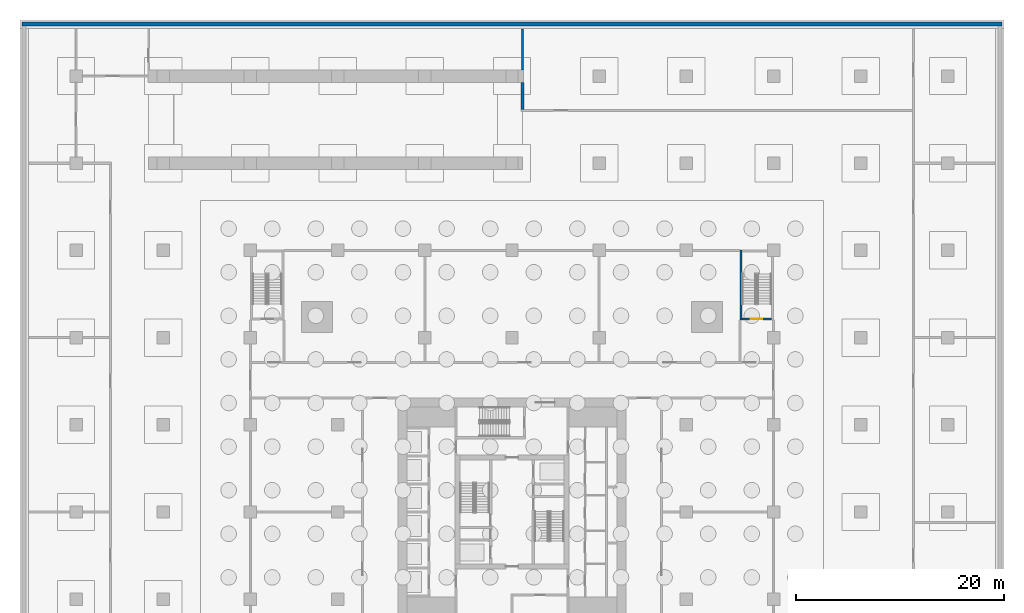
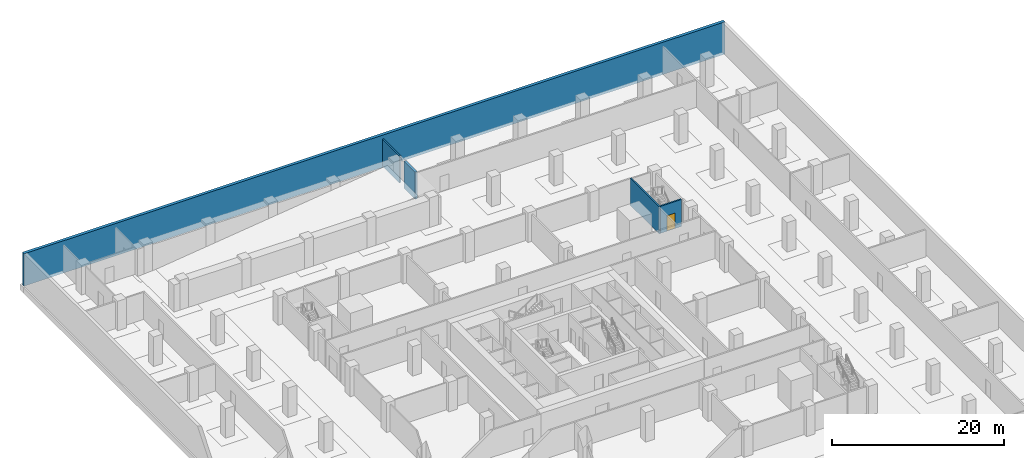
# One storey, part 12 of 19: 5 walls, 1 door, 1 opening.
"""IFC4 building model written with IfcOpenShell, lengths in metres."""

from ifc_helpers import new_model, si_unit, direction, frame, frame_2d, origin, place, context, subcontext, project, spatial, rectangle, extrude, material, layer, layer_set, type_object, element, fill, save


model = new_model("IFC4")

# Units and contexts
model_context = context("Model", 3, precision=1e-05, world=origin(), true_north=direction((0.0, 1.0)))
body_context = subcontext(model_context, "Body", "Model", "MODEL_VIEW")
ifc_project = project(units=[si_unit("LENGTHUNIT", "METRE"), si_unit("AREAUNIT", "SQUARE_METRE"), si_unit("VOLUMEUNIT", "CUBIC_METRE"), si_unit("PLANEANGLEUNIT", "RADIAN"), si_unit("MASSUNIT", "GRAM", prefix="KILO")], contexts=[model_context])

# Site, building, storey
site_placement = place(None, origin())
site = spatial("IfcSite", under=ifc_project, at=site_placement, CompositionType="ELEMENT")
building_placement = place(site_placement, origin())
building = spatial("IfcBuilding", under=site, at=building_placement, Name="Khepri Terraces", CompositionType="ELEMENT")
storey_placement = place(building_placement, frame((0.0, 0.0, -8.39990234375)))
storey = spatial("IfcBuildingStorey", under=building, at=storey_placement, Name="B2", CompositionType="ELEMENT", Elevation=-8.39990234375)

# Walls
ifc_material_1 = material(Name="Concrete C60/75", Category="concrete")
ifc_layer_1 = layer(ifc_material_1, 0.39990234375, Name="Concrete C60/75", Category="concrete")
ifc_layer_set_1 = layer_set([ifc_layer_1], Name="Concrete C60/75")
wall_type_1 = type_object("IfcWallType", Name="Retaining wall RW1", PredefinedType="USERDEFINED", material=ifc_layer_set_1)
wall_1_placement = place(storey_placement, frame((-47.199951171875, 47.0, -0.400146484375), z_axis=(0.0, 0.0, 1.0), x_axis=(1.0, 0.0, 0.0)))
element("IfcWall", 1, at=wall_1_placement, inside=storey, type_object=wall_type_1, Name="Basement retaining wall N B2", ObjectType="RETAINING WALL", PredefinedType="USERDEFINED", context=body_context, shape_type="SweptSolid", body=[
    extrude(rectangle(XDim=94.39990234375, YDim=0.39990234375, at=frame_2d((47.199951171875, 0.0))), origin(), (0.0, 0.0, 1.0), 4.60009765625),
])
ifc_material_2 = material(Name="Fire-rated block wall")
ifc_layer_2 = layer(ifc_material_2, 0.199951171875, Name="Fire-rated block wall")
ifc_layer_set_2 = layer_set([ifc_layer_2], Name="Fire-rated block wall")
wall_type_2 = type_object("IfcWallType", Name="WL-POD-200-EI120", PredefinedType="PARTITIONING", material=ifc_layer_set_2)
wall_2_placement = place(storey_placement, frame((1.0, 42.60009765625, 0.0), z_axis=(0.0, 0.0, 1.0), x_axis=(0.0, 1.0, 0.0)))
element("IfcWall", 2, at=wall_2_placement, inside=storey, type_object=wall_type_2, Name="Partition B2-PW081", PredefinedType="PARTITIONING", context=body_context, shape_type="SweptSolid", body=[
    extrude(rectangle(XDim=3.949951171875, YDim=0.199951171875, at=frame_2d((1.97509765625, 0.0))), origin(), (0.0, 0.0, 1.0), 3.849853515625),
])
ifc_material_3 = material(Name="Concrete C40/50", Category="concrete")
ifc_layer_3 = layer(ifc_material_3, 0.300048828125, Name="Concrete C40/50", Category="concrete")
ifc_layer_set_3 = layer_set([ifc_layer_3], Name="Concrete C40/50")
wall_type_3 = type_object("IfcWallType", Name="WL-POD-RAMP-300", PredefinedType="SOLIDWALL", material=ifc_layer_set_3)
wall_3_placement = place(storey_placement, frame((1.0, 38.800048828125, 0.0), z_axis=(0.0, 0.0, 1.0), x_axis=(0.0, 1.0, 0.0)))
element("IfcWall", 3, at=wall_3_placement, inside=storey, type_object=wall_type_3, Name="Ramp wall B2-PW080", PredefinedType="SOLIDWALL", context=body_context, shape_type="SweptSolid", body=[
    extrude(rectangle(XDim=2.599853515625, YDim=0.300048828125, at=frame_2d((1.2998046875, 0.0))), origin(), (0.0, 0.0, 1.0), 3.849853515625),
])
ifc_layer_4 = layer(ifc_material_3, 0.199951171875, Name="Concrete C40/50", Category="concrete")
ifc_layer_set_4 = layer_set([ifc_layer_4], Name="Concrete C40/50")
wall_type_4 = type_object("IfcWallType", Name="WL-POD-STAIR-200", PredefinedType="SOLIDWALL", material=ifc_layer_set_4)
wall_4_placement = place(storey_placement, frame((22.050048828125, 18.5, 0.0), z_axis=(0.0, 0.0, 1.0), x_axis=(0.0, 1.0, 0.0)))
element("IfcWall", 4, at=wall_4_placement, inside=storey, type_object=wall_type_4, Name="Stair enclosure PS-1 B2-W", PredefinedType="SOLIDWALL", context=body_context, shape_type="SweptSolid", body=[
    extrude(rectangle(XDim=6.739990234375, YDim=0.199951171875, at=frame_2d((3.3701171875, 0.0))), origin(), (0.0, 0.0, 1.0), 3.849853515625),
])

# Wall, opening, door
wall_5_placement = place(storey_placement, frame((22.14990234375, 18.60009765625, 0.0), z_axis=(0.0, 0.0, 1.0), x_axis=(1.0, 0.0, 0.0)))
wall_5 = element("IfcWall", 5, at=wall_5_placement, inside=storey, type_object=wall_type_4, Name="Stair enclosure PS-1 B2-S", PredefinedType="SOLIDWALL", context=body_context, shape_type="SweptSolid", body=[
    extrude(rectangle(XDim=2.85009765625, YDim=0.199951171875, at=frame_2d((1.425048828125, 0.0))), origin(), (0.0, 0.0, 1.0), 3.849853515625),
])
opening_placement = place(wall_5_placement, frame((0.875, 0.0, 0.0)))
opening = element("IfcOpeningElement", 6, at=opening_placement, cuts=wall_5, Name="Opening B2-PS-1D", PredefinedType="OPENING", context=body_context, shape_type="SweptSolid", body=[
    extrude(rectangle(XDim=1.10009765625, YDim=2.199951171875, at=frame_2d((0.550048828125, 1.10009765625))), frame((0.0, 0.10986328125, 0.0), z_axis=(0.0, -1.0, 0.0), x_axis=(1.0, 0.0, 0.0)), (0.0, 0.0, 1.0), 0.219970703125),
])
ifc_material_4 = material(Name="Painted steel", Category="steel")
door_type = type_object("IfcDoorType", Name="DR-POD-STAIR-1100", OperationType="NOTDEFINED", PredefinedType="DOOR", material=ifc_material_4)
door_placement = place(opening_placement, origin())
door = element("IfcDoor", 7, at=door_placement, inside=storey, type_object=door_type, Name="Stair door B2-PS-1D", OperationType="SINGLE_SWING_RIGHT", OverallHeight=2.199951171875, OverallWidth=1.10009765625, PredefinedType="DOOR", context=body_context, shape_type="SweptSolid", body=[
    extrude(rectangle(XDim=1.10009765625, YDim=2.199951171875, at=frame_2d((0.550048828125, 1.10009765625))), frame((0.0, 0.02490234375, 0.0), z_axis=(0.0, -1.0, 0.0), x_axis=(1.0, 0.0, 0.0)), (0.0, 0.0, 1.0), 0.050048828125),
])
fill(opening, door)

save(model, "model.ifc")
